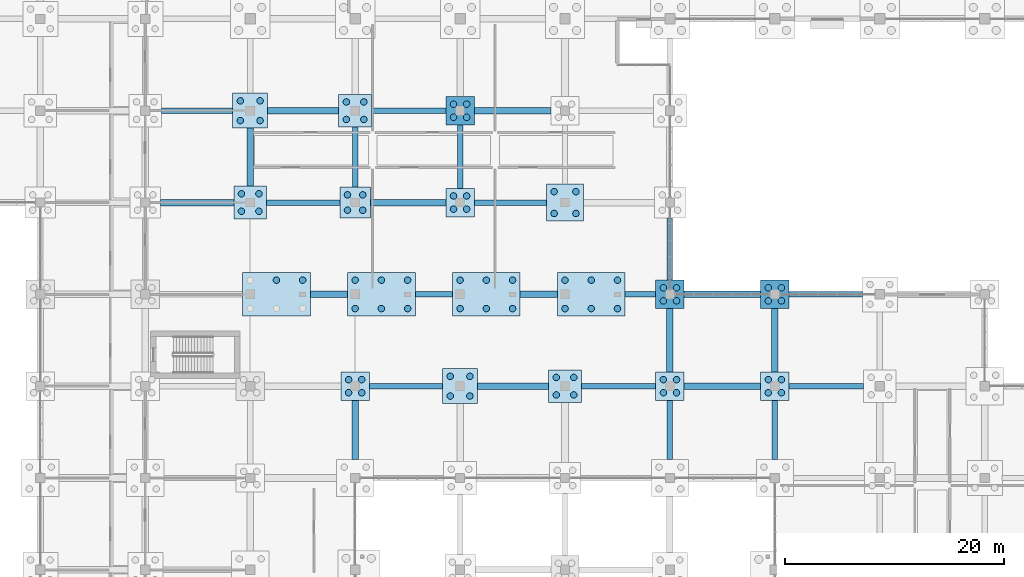
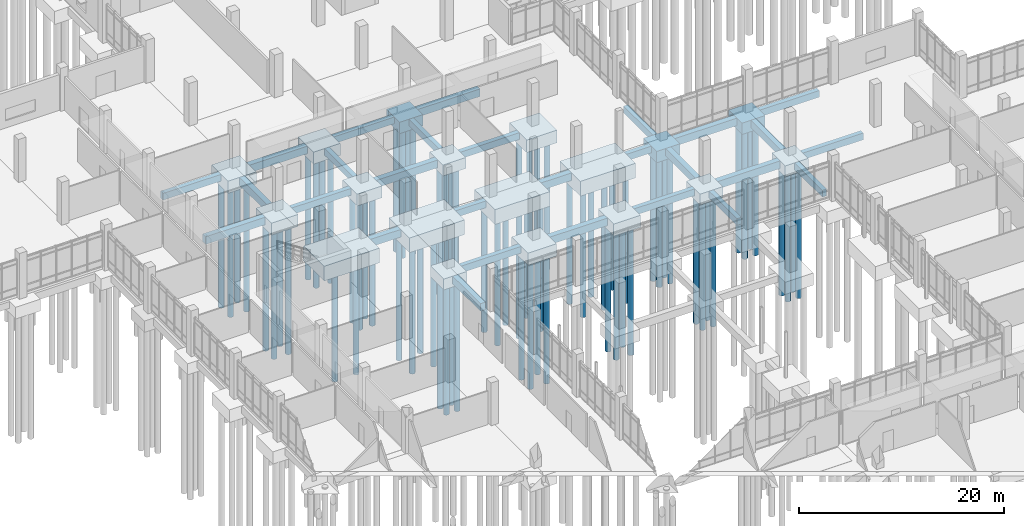
# One storey, part 15 of 136: 76 piles, 46 footings.
"""IFC4 building model written with IfcOpenShell, lengths in metres."""

import ifcopenshell
import ifcopenshell.guid

model = None  # the IFC model being written
_history = None  # IfcOwnerHistory: only IFC2X3 demands one
_inside = {}  # id of a spatial element -> (the spatial element, [elements in it])
_under = {}  # id of a project, library or spatial element -> (it, [spatial elements below it])
_declared = {}  # id of a project -> (the project, [libraries it declares])
_typed = {}  # id of a type object -> (the type object, [elements of that type])
_made_of = {}  # id of a material, layer set ... -> (it, [elements and type objects made of it])


def new_model(schema):
    """Start an empty IFC model of exactly this schema.

    Asked for "IFC4X3", IfcOpenShell would pick the latest addendum, in which some entities
    have other attributes; the version numbers below select the first issue.
    IFC2X3 requires an IfcOwnerHistory on every rooted entity: one is made here for all.
    """
    global model, _history
    if schema == "IFC4X3":
        model = ifcopenshell.file(schema_version=(4, 3, 0, 0))
    else:
        model = ifcopenshell.file(schema=schema)
    _inside.clear()
    _under.clear()
    _declared.clear()
    _typed.clear()
    _made_of.clear()
    _history = None
    if model.schema == "IFC2X3":
        org = make("IfcOrganization", Name="unknown")
        user = make(
            "IfcPersonAndOrganization",
            ThePerson=make("IfcPerson", FamilyName="unknown"),
            TheOrganization=org,
        )
        app = make(
            "IfcApplication",
            ApplicationDeveloper=org,
            Version="unknown",
            ApplicationFullName="unknown",
            ApplicationIdentifier="unknown",
        )
        _history = make(
            "IfcOwnerHistory",
            OwningUser=user,
            OwningApplication=app,
            ChangeAction="ADDED",
            CreationDate=0,
        )
    return model


def make(cls, **values):
    """One entity of the class cls with the attributes given. An attribute that is None is left unset."""
    return model.create_entity(
        cls, **{name: value for name, value in values.items() if value is not None}
    )


def rooted(cls, **values):
    """An entity with a GlobalId (a new one), such as an element, a storey or a relation."""
    return make(cls, GlobalId=ifcopenshell.guid.new(), OwnerHistory=_history, **values)


def si_unit(unit_type, name, prefix=None):
    """IfcSIUnit, for example si_unit("LENGTHUNIT", "METRE", prefix="MILLI")."""
    return make("IfcSIUnit", UnitType=unit_type, Prefix=prefix, Name=name)


def assignment(units):
    """IfcUnitAssignment: the units of a project."""
    return None if units is None else make("IfcUnitAssignment", Units=units)


def point(xyz):
    """IfcCartesianPoint."""
    return None if xyz is None else make("IfcCartesianPoint", Coordinates=xyz)


def direction(xyz):
    """IfcDirection."""
    return None if xyz is None else make("IfcDirection", DirectionRatios=xyz)


def frame(location, z_axis=None, x_axis=None):
    """IfcAxis2Placement3D, a coordinate frame: its origin and axes. An axis left out is left unset."""
    return make(
        "IfcAxis2Placement3D",
        Location=point(location),
        Axis=direction(z_axis),
        RefDirection=direction(x_axis),
    )


def frame_2d(location, x_axis=None):
    """IfcAxis2Placement2D, a coordinate frame in the plane: its origin and x axis."""
    return make(
        "IfcAxis2Placement2D", Location=point(location), RefDirection=direction(x_axis)
    )


def origin():
    """The frame at (0, 0, 0) with its axes left unset."""
    return frame((0.0, 0.0, 0.0))


def origin_2d():
    """The frame at (0, 0) in the plane with its x axis left unset."""
    return frame_2d((0.0, 0.0))


def place(relative_to, where):
    """IfcLocalPlacement: puts the frame where relative to a parent placement (None: the world)."""
    return make(
        "IfcLocalPlacement", PlacementRelTo=relative_to, RelativePlacement=where
    )


def context(
    kind, dimensions, precision=None, world=None, true_north=None, identifier=None
):
    """IfcGeometricRepresentationContext, for example the 3D "Model" context."""
    return make(
        "IfcGeometricRepresentationContext",
        ContextIdentifier=identifier,
        ContextType=kind,
        CoordinateSpaceDimension=dimensions,
        Precision=precision,
        WorldCoordinateSystem=world,
        TrueNorth=true_north,
    )


def subcontext(parent, identifier, kind, view, scale=None):
    """IfcGeometricRepresentationSubContext, for example "Body" below "Model"."""
    return make(
        "IfcGeometricRepresentationSubContext",
        ContextIdentifier=identifier,
        ContextType=kind,
        ParentContext=parent,
        TargetScale=scale,
        TargetView=view,
    )


def project(units=None, contexts=None):
    """IfcProject with its units and contexts."""
    return rooted(
        "IfcProject",
        Name="project",
        RepresentationContexts=contexts,
        UnitsInContext=assignment(units),
    )


def spatial(cls, under=None, at=None, **own):
    """A site, building, storey or space (cls), placed at a placement, below another one or the project."""
    s = rooted(cls, ObjectPlacement=at, **own)
    if under is not None:
        _under.setdefault(under.id(), (under, []))[1].append(s)
    return s


def profile(cls, at=None, kind="AREA", **sizes):
    """A parametric profile (cls). Its sizes go by their IFC names, for example OverallWidth=200.0."""
    return make(cls, ProfileType=kind, Position=at, **sizes)


def rectangle(**sizes):
    """IfcRectangleProfileDef."""
    return profile("IfcRectangleProfileDef", **sizes)


def circle(**sizes):
    """IfcCircleProfileDef."""
    return profile("IfcCircleProfileDef", **sizes)


def extrude(swept, where, along, depth):
    """IfcExtrudedAreaSolid: the profile swept, set in the frame where, extruded along a direction by depth."""
    return make(
        "IfcExtrudedAreaSolid",
        SweptArea=swept,
        Position=where,
        ExtrudedDirection=direction(along),
        Depth=depth,
    )


def shape(context_of_items, identifier, shape_type, items):
    """IfcShapeRepresentation: the items that make up one representation, for example the "Body"."""
    return make(
        "IfcShapeRepresentation",
        ContextOfItems=context_of_items,
        RepresentationIdentifier=identifier,
        RepresentationType=shape_type,
        Items=items,
    )


def material(Name=None, Category=None):
    """IfcMaterial."""
    return make("IfcMaterial", Name=Name, Category=Category)


def material_profile(
    of_material, cross_section, Name=None, Category=None, Priority=None
):
    """IfcMaterialProfile: a cross section and its material."""
    return make(
        "IfcMaterialProfile",
        Name=Name,
        Material=of_material,
        Profile=cross_section,
        Priority=Priority,
        Category=Category,
    )


def profile_set(profiles, Name=None, composite=None):
    """IfcMaterialProfileSet."""
    return make(
        "IfcMaterialProfileSet",
        Name=Name,
        MaterialProfiles=profiles,
        CompositeProfile=composite,
    )


def made_of(thing, what):
    """Note that an element or type object is made of a material, layer set ...; save() writes the relation."""
    if what is not None:
        _made_of.setdefault(what.id(), (what, []))[1].append(thing)
    return thing


def type_object(cls, material=None, **own):
    """A type object (cls), such as IfcWallType, which elements share."""
    return made_of(rooted(cls, **own), material)


def element(
    cls,
    number,
    at=None,
    inside=None,
    cuts=None,
    type_object=None,
    material=None,
    context=None,
    identifier="Body",
    shape_type=None,
    held_by="IfcProductDefinitionShape",
    body=None,
    shapes=None,
    **own,
):
    """One element of the class cls, such as IfcWall. Its Tag is "e" and its number.

    at: its placement. inside: the storey or other place that contains it. cuts: it is an
    opening in that element (IfcRelVoidsElement). A single representation is given by context,
    identifier, shape_type and body (its items); several are given by shapes. held_by: the class
    of the entity that holds the representations. save() writes the other relations.
    """
    e = rooted(cls, Tag="e%d" % number, ObjectPlacement=at, **own)
    if body is not None:
        shapes = [shape(context, identifier, shape_type, body)]
    if shapes is not None:
        e.Representation = make(held_by, Representations=shapes)
    if inside is not None:
        _inside.setdefault(inside.id(), (inside, []))[1].append(e)
    if cuts is not None:
        rooted(
            "IfcRelVoidsElement", RelatingBuildingElement=cuts, RelatedOpeningElement=e
        )
    if type_object is not None:
        _typed.setdefault(type_object.id(), (type_object, []))[1].append(e)
    return made_of(e, material)


def aggregate(whole, parts):
    """IfcRelAggregates: a whole, such as a stair, and the parts it consists of."""
    return rooted("IfcRelAggregates", RelatingObject=whole, RelatedObjects=parts)


def save(model, path):
    """Write the relations noted so far, then the file.

    IfcRelAggregates (storeys below a building ...), IfcRelContainedInSpatialStructure (elements
    in a storey), IfcRelDefinesByType, IfcRelAssociatesMaterial and IfcRelDeclares: one each for
    every whole, place, type object, material and project.
    """
    for whole, parts in _under.values():
        aggregate(whole, parts)
    for where, things in _inside.values():
        rooted(
            "IfcRelContainedInSpatialStructure",
            RelatedElements=things,
            RelatingStructure=where,
        )
    for kind, things in _typed.values():
        rooted("IfcRelDefinesByType", RelatedObjects=things, RelatingType=kind)
    for what, things in _made_of.values():
        rooted("IfcRelAssociatesMaterial", RelatedObjects=things, RelatingMaterial=what)
    for by, libraries in _declared.values():
        rooted("IfcRelDeclares", RelatingContext=by, RelatedDefinitions=libraries)
    model.write(path)


model = new_model("IFC4")

# Units and contexts
model_context = context("Model", 3, precision=1e-05, world=origin(), true_north=direction((0.0, 1.0)))
body_context = subcontext(model_context, "Body", "Model", "MODEL_VIEW")
ifc_project = project(units=[si_unit("LENGTHUNIT", "METRE"), si_unit("AREAUNIT", "SQUARE_METRE"), si_unit("VOLUMEUNIT", "CUBIC_METRE"), si_unit("PLANEANGLEUNIT", "RADIAN"), si_unit("MASSUNIT", "GRAM", prefix="KILO")], contexts=[model_context])

# Site, building, storey
site_placement = place(None, origin())
site = spatial("IfcSite", under=ifc_project, at=site_placement, CompositionType="ELEMENT")
building_placement = place(site_placement, origin())
building = spatial("IfcBuilding", under=site, at=building_placement, Name="Oolite Switchyard Hospital", CompositionType="ELEMENT")
storey_placement = place(building_placement, origin())
storey = spatial("IfcBuildingStorey", under=building, at=storey_placement, Name="L00", CompositionType="ELEMENT", Elevation=0.0)

# Footings
ifc_material = material(Name="Concrete C40/50", Category="concrete")
footing_type_1 = type_object("IfcFootingType", Name="FTG-GB500X800", PredefinedType="FOOTING_BEAM", material=ifc_material)
footing_1_placement = place(storey_placement, frame((148.64990234375, 67.199951171875, -1.14990234375), z_axis=(0.0, 0.0, 1.0), x_axis=(1.0, 0.0, 0.0)))
element("IfcFooting", 1, at=footing_1_placement, inside=storey, type_object=footing_type_1, Name="L00 Grade Beam 120", PredefinedType="FOOTING_BEAM", context=body_context, shape_type="SweptSolid", body=[
    extrude(rectangle(XDim=6.699951171875, YDim=0.5, at=origin_2d()), origin(), (0.0, 0.0, 1.0), 0.800048828125),
])
for number, where, z_axis, x_axis, name in (
    (2, (168.10009765625, 67.199951171875, -1.14990234375), (0.0, 0.0, 1.0), (1.0, 0.0, 0.0), "L00 Grade Beam 122"),
    (3, (187.10009765625, 67.199951171875, -1.14990234375), (0.0, 0.0, 1.0), (1.0, 0.0, 0.0), "L00 Grade Beam 124"),
):
    element("IfcFooting", number, at=place(storey_placement, frame(where, z_axis=z_axis, x_axis=x_axis)), inside=storey, type_object=footing_type_1, Name=name, PredefinedType="FOOTING_BEAM", context=body_context, shape_type="SweptSolid", body=[
        extrude(rectangle(XDim=6.800048828125, YDim=0.5, at=origin_2d()), origin(), (0.0, 0.0, 1.0), 0.800048828125),
    ])
footing_2_placement = place(storey_placement, frame((151.199951171875, 75.60009765625, -1.14990234375), z_axis=(0.0, 0.0, 1.0), x_axis=(1.0, 0.0, 0.0)))
element("IfcFooting", 4, at=footing_2_placement, inside=storey, type_object=footing_type_1, Name="L00 Grade Beam 136", PredefinedType="FOOTING_BEAM", context=body_context, shape_type="SweptSolid", body=[
    extrude(rectangle(XDim=3.39990234375, YDim=0.5, at=origin_2d()), origin(), (0.0, 0.0, 1.0), 0.800048828125),
])
footing_3_placement = place(storey_placement, frame((170.10009765625, 75.60009765625, -1.14990234375), z_axis=(0.0, 0.0, 1.0), x_axis=(1.0, 0.0, 0.0)))
element("IfcFooting", 5, at=footing_3_placement, inside=storey, type_object=footing_type_1, Name="L00 Grade Beam 138", PredefinedType="FOOTING_BEAM", context=body_context, shape_type="SweptSolid", body=[
    extrude(rectangle(XDim=2.800048828125, YDim=0.5, at=origin_2d()), origin(), (0.0, 0.0, 1.0), 0.800048828125),
])
for number, where, z_axis, x_axis, name in (
    (6, (187.050048828125, 75.60009765625, -1.14990234375), (0.0, 0.0, 1.0), (1.0, 0.0, 0.0), "L00 Grade Beam 140"),
    (7, (139.25, 84.0, -1.14990234375), (0.0, 0.0, 1.0), (1.0, 0.0, 0.0), "L00 Grade Beam 156"),
):
    element("IfcFooting", number, at=place(storey_placement, frame(where, z_axis=z_axis, x_axis=x_axis)), inside=storey, type_object=footing_type_1, Name=name, PredefinedType="FOOTING_BEAM", context=body_context, shape_type="SweptSolid", body=[
        extrude(rectangle(XDim=6.699951171875, YDim=0.5, at=origin_2d()), origin(), (0.0, 0.0, 1.0), 0.800048828125),
    ])
footing_4_placement = place(storey_placement, frame((158.199951171875, 84.0, -1.14990234375), z_axis=(0.0, 0.0, 1.0), x_axis=(1.0, 0.0, 0.0)))
element("IfcFooting", 8, at=footing_4_placement, inside=storey, type_object=footing_type_1, Name="L00 Grade Beam 158", PredefinedType="FOOTING_BEAM", context=body_context, shape_type="SweptSolid", body=[
    extrude(rectangle(XDim=6.60009765625, YDim=0.5, at=origin_2d()), origin(), (0.0, 0.0, 1.0), 0.800048828125),
])
footing_5_placement = place(storey_placement, frame((129.550048828125, 92.39990234375, -1.14990234375), z_axis=(0.0, 0.0, 1.0), x_axis=(1.0, 0.0, 0.0)))
element("IfcFooting", 9, at=footing_5_placement, inside=storey, type_object=footing_type_1, Name="L00 Grade Beam 170", PredefinedType="FOOTING_BEAM", context=body_context, shape_type="SweptSolid", body=[
    extrude(rectangle(XDim=6.5, YDim=0.5, at=origin_2d()), origin(), (0.0, 0.0, 1.0), 0.800048828125),
])
footing_6_placement = place(storey_placement, frame((148.89990234375, 92.39990234375, -1.14990234375), z_axis=(0.0, 0.0, 1.0), x_axis=(1.0, 0.0, 0.0)))
element("IfcFooting", 10, at=footing_6_placement, inside=storey, type_object=footing_type_1, Name="L00 Grade Beam 172", PredefinedType="FOOTING_BEAM", context=body_context, shape_type="SweptSolid", body=[
    extrude(rectangle(XDim=6.800048828125, YDim=0.5, at=origin_2d()), origin(), (0.0, 0.0, 1.0), 0.800048828125),
])
footing_7_placement = place(storey_placement, frame((144.0, 88.14990234375, -1.14990234375), z_axis=(0.0, 0.0, 1.0), x_axis=(0.0, 1.0, 0.0)))
element("IfcFooting", 11, at=footing_7_placement, inside=storey, type_object=footing_type_1, Name="L00 Grade Beam 437", PredefinedType="FOOTING_BEAM", context=body_context, shape_type="SweptSolid", body=[
    extrude(rectangle(XDim=5.5, YDim=0.5, at=origin_2d()), origin(), (0.0, 0.0, 1.0), 0.800048828125),
])
footing_8_placement = place(storey_placement, frame((153.60009765625, 88.199951171875, -1.14990234375), z_axis=(0.0, 0.0, 1.0), x_axis=(0.0, 1.0, 0.0)))
element("IfcFooting", 12, at=footing_8_placement, inside=storey, type_object=footing_type_1, Name="L00 Grade Beam 449", PredefinedType="FOOTING_BEAM", context=body_context, shape_type="SweptSolid", body=[
    extrude(rectangle(XDim=5.800048828125, YDim=0.5, at=origin_2d()), origin(), (0.0, 0.0, 1.0), 0.800048828125),
])
footing_9_placement = place(storey_placement, frame((172.800048828125, 63.199951171875, -1.14990234375), z_axis=(0.0, 0.0, 1.0), x_axis=(0.0, 1.0, 0.0)))
element("IfcFooting", 13, at=footing_9_placement, inside=storey, type_object=footing_type_1, Name="L00 Grade Beam 473", PredefinedType="FOOTING_BEAM", context=body_context, shape_type="SweptSolid", body=[
    extrude(rectangle(XDim=5.39990234375, YDim=0.5, at=origin_2d()), origin(), (0.0, 0.0, 1.0), 0.800048828125),
])
footing_10_placement = place(storey_placement, frame((172.800048828125, 79.75, -1.14990234375), z_axis=(0.0, 0.0, 1.0), x_axis=(0.0, 1.0, 0.0)))
element("IfcFooting", 14, at=footing_10_placement, inside=storey, type_object=footing_type_1, Name="L00 Grade Beam 475", PredefinedType="FOOTING_BEAM", context=body_context, shape_type="SweptSolid", body=[
    extrude(rectangle(XDim=5.699951171875, YDim=0.5, at=origin_2d()), origin(), (0.0, 0.0, 1.0), 0.800048828125),
])
footing_11_placement = place(storey_placement, frame((182.39990234375, 63.199951171875, -1.14990234375), z_axis=(0.0, 0.0, 1.0), x_axis=(0.0, 1.0, 0.0)))
element("IfcFooting", 15, at=footing_11_placement, inside=storey, type_object=footing_type_1, Name="L00 Grade Beam 487", PredefinedType="FOOTING_BEAM", context=body_context, shape_type="SweptSolid", body=[
    extrude(rectangle(XDim=5.39990234375, YDim=0.5, at=origin_2d()), origin(), (0.0, 0.0, 1.0), 0.800048828125),
])
footing_type_2 = type_object("IfcFootingType", Name="FTG-GB600X900", PredefinedType="FOOTING_BEAM", material=ifc_material)
footing_12_placement = place(storey_placement, frame((158.449951171875, 67.199951171875, -1.25), z_axis=(0.0, 0.0, 1.0), x_axis=(1.0, 0.0, 0.0)))
element("IfcFooting", 16, at=footing_12_placement, inside=storey, type_object=footing_type_2, Name="L00 Grade Beam 121", PredefinedType="FOOTING_BEAM", context=body_context, shape_type="SweptSolid", body=[
    extrude(rectangle(XDim=6.5, YDim=0.60009765625, at=origin_2d()), origin(), (0.0, 0.0, 1.0), 0.89990234375),
])
footing_13_placement = place(storey_placement, frame((177.60009765625, 67.199951171875, -1.25), z_axis=(0.0, 0.0, 1.0), x_axis=(1.0, 0.0, 0.0)))
element("IfcFooting", 17, at=footing_13_placement, inside=storey, type_object=footing_type_2, Name="L00 Grade Beam 123", PredefinedType="FOOTING_BEAM", context=body_context, shape_type="SweptSolid", body=[
    extrude(rectangle(XDim=7.0, YDim=0.60009765625, at=origin_2d()), origin(), (0.0, 0.0, 1.0), 0.89990234375),
])
for number, where, z_axis, x_axis, name in (
    (18, (141.60009765625, 75.60009765625, -1.25), (0.0, 0.0, 1.0), (1.0, 0.0, 0.0), "L00 Grade Beam 135"),
    (19, (160.800048828125, 75.60009765625, -1.25), (0.0, 0.0, 1.0), (1.0, 0.0, 0.0), "L00 Grade Beam 137"),
):
    element("IfcFooting", number, at=place(storey_placement, frame(where, z_axis=z_axis, x_axis=x_axis)), inside=storey, type_object=footing_type_2, Name=name, PredefinedType="FOOTING_BEAM", context=body_context, shape_type="SweptSolid", body=[
        extrude(rectangle(XDim=3.39990234375, YDim=0.60009765625, at=origin_2d()), origin(), (0.0, 0.0, 1.0), 0.89990234375),
    ])
footing_14_placement = place(storey_placement, frame((177.60009765625, 75.60009765625, -1.25), z_axis=(0.0, 0.0, 1.0), x_axis=(1.0, 0.0, 0.0)))
element("IfcFooting", 20, at=footing_14_placement, inside=storey, type_object=footing_type_2, Name="L00 Grade Beam 139", PredefinedType="FOOTING_BEAM", context=body_context, shape_type="SweptSolid", body=[
    extrude(rectangle(XDim=7.0, YDim=0.60009765625, at=origin_2d()), origin(), (0.0, 0.0, 1.0), 0.89990234375),
])
footing_15_placement = place(storey_placement, frame((129.550048828125, 84.0, -1.25), z_axis=(0.0, 0.0, 1.0), x_axis=(1.0, 0.0, 0.0)))
element("IfcFooting", 21, at=footing_15_placement, inside=storey, type_object=footing_type_2, Name="L00 Grade Beam 155", PredefinedType="FOOTING_BEAM", context=body_context, shape_type="SweptSolid", body=[
    extrude(rectangle(XDim=6.699951171875, YDim=0.60009765625, at=origin_2d()), origin(), (0.0, 0.0, 1.0), 0.89990234375),
])
footing_16_placement = place(storey_placement, frame((148.85009765625, 84.0, -1.25), z_axis=(0.0, 0.0, 1.0), x_axis=(1.0, 0.0, 0.0)))
element("IfcFooting", 22, at=footing_16_placement, inside=storey, type_object=footing_type_2, Name="L00 Grade Beam 157", PredefinedType="FOOTING_BEAM", context=body_context, shape_type="SweptSolid", body=[
    extrude(rectangle(XDim=6.89990234375, YDim=0.60009765625, at=origin_2d()), origin(), (0.0, 0.0, 1.0), 0.89990234375),
])
footing_17_placement = place(storey_placement, frame((139.25, 92.39990234375, -1.25), z_axis=(0.0, 0.0, 1.0), x_axis=(1.0, 0.0, 0.0)))
element("IfcFooting", 23, at=footing_17_placement, inside=storey, type_object=footing_type_2, Name="L00 Grade Beam 171", PredefinedType="FOOTING_BEAM", context=body_context, shape_type="SweptSolid", body=[
    extrude(rectangle(XDim=6.5, YDim=0.60009765625, at=origin_2d()), origin(), (0.0, 0.0, 1.0), 0.89990234375),
])
footing_18_placement = place(storey_placement, frame((158.39990234375, 92.39990234375, -1.25), z_axis=(0.0, 0.0, 1.0), x_axis=(1.0, 0.0, 0.0)))
element("IfcFooting", 24, at=footing_18_placement, inside=storey, type_object=footing_type_2, Name="L00 Grade Beam 173", PredefinedType="FOOTING_BEAM", context=body_context, shape_type="SweptSolid", body=[
    extrude(rectangle(XDim=7.0, YDim=0.60009765625, at=origin_2d()), origin(), (0.0, 0.0, 1.0), 0.89990234375),
])
footing_19_placement = place(storey_placement, frame((134.39990234375, 88.14990234375, -1.25), z_axis=(0.0, 0.0, 1.0), x_axis=(0.0, 1.0, 0.0)))
element("IfcFooting", 25, at=footing_19_placement, inside=storey, type_object=footing_type_2, Name="L00 Grade Beam 428", PredefinedType="FOOTING_BEAM", context=body_context, shape_type="SweptSolid", body=[
    extrude(rectangle(XDim=5.300048828125, YDim=0.60009765625, at=origin_2d()), origin(), (0.0, 0.0, 1.0), 0.89990234375),
])
footing_20_placement = place(storey_placement, frame((144.0, 63.199951171875, -1.25), z_axis=(0.0, 0.0, 1.0), x_axis=(0.0, 1.0, 0.0)))
element("IfcFooting", 26, at=footing_20_placement, inside=storey, type_object=footing_type_2, Name="L00 Grade Beam 436", PredefinedType="FOOTING_BEAM", context=body_context, shape_type="SweptSolid", body=[
    extrude(rectangle(XDim=5.39990234375, YDim=0.60009765625, at=origin_2d()), origin(), (0.0, 0.0, 1.0), 0.89990234375),
])
for number, where, z_axis, x_axis, name in (
    (27, (172.800048828125, 71.39990234375, -1.25), (0.0, 0.0, 1.0), (0.0, 1.0, 0.0), "L00 Grade Beam 474"),
    (28, (182.39990234375, 71.39990234375, -1.25), (0.0, 0.0, 1.0), (0.0, 1.0, 0.0), "L00 Grade Beam 488"),
):
    element("IfcFooting", number, at=place(storey_placement, frame(where, z_axis=z_axis, x_axis=x_axis)), inside=storey, type_object=footing_type_2, Name=name, PredefinedType="FOOTING_BEAM", context=body_context, shape_type="SweptSolid", body=[
        extrude(rectangle(XDim=5.800048828125, YDim=0.60009765625, at=origin_2d()), origin(), (0.0, 0.0, 1.0), 0.89990234375),
    ])
footing_type_3 = type_object("IfcFootingType", Name="FTG-PC24", PredefinedType="PILE_CAP", material=ifc_material)
for number, where, z_axis, x_axis, name in (
    (29, (144.0, 67.199951171875, -1.64990234375), (0.0, 0.0, 1.0), (1.0, 0.0, 0.0), "L00 Multi-Pile Cap 211"),
    (30, (153.60009765625, 84.0, -1.64990234375), (0.0, 0.0, 1.0), (1.0, 0.0, 0.0), "L00 Multi-Pile Cap 228"),
    (31, (172.800048828125, 67.199951171875, -1.64990234375), (0.0, 0.0, 1.0), (1.0, 0.0, 0.0), "L00 Multi-Pile Cap 258"),
    (32, (182.39990234375, 67.199951171875, -1.64990234375), (0.0, 0.0, 1.0), (1.0, 0.0, 0.0), "L00 Multi-Pile Cap 275"),
):
    element("IfcFooting", number, at=place(storey_placement, frame(where, z_axis=z_axis, x_axis=x_axis)), inside=storey, type_object=footing_type_3, Name=name, PredefinedType="PILE_CAP", context=body_context, shape_type="SweptSolid", body=[
        extrude(rectangle(XDim=2.60009765625, YDim=2.60009765625, at=origin_2d()), origin(), (0.0, 0.0, 1.0), 1.300048828125),
    ])
footing_type_4 = type_object("IfcFootingType", Name="FTG-PC26", PredefinedType="PILE_CAP", material=ifc_material)
for number, where, z_axis, x_axis, name in (
    (33, (153.60009765625, 92.39990234375, -1.699951171875), (0.0, 0.0, 1.0), (1.0, 0.0, 0.0), "L00 Multi-Pile Cap 229"),
    (34, (172.800048828125, 75.60009765625, -1.699951171875), (0.0, 0.0, 1.0), (1.0, 0.0, 0.0), "L00 Multi-Pile Cap 259"),
    (35, (182.39990234375, 75.60009765625, -1.699951171875), (0.0, 0.0, 1.0), (1.0, 0.0, 0.0), "L00 Multi-Pile Cap 276"),
):
    element("IfcFooting", number, at=place(storey_placement, frame(where, z_axis=z_axis, x_axis=x_axis)), inside=storey, type_object=footing_type_4, Name=name, PredefinedType="PILE_CAP", context=body_context, shape_type="SweptSolid", body=[
        extrude(rectangle(XDim=2.60009765625, YDim=2.60009765625, at=origin_2d()), origin(), (0.0, 0.0, 1.0), 1.35009765625),
    ])
footing_type_5 = type_object("IfcFootingType", Name="FTG-PC28", PredefinedType="PILE_CAP", material=ifc_material)
footing_21_placement = place(storey_placement, frame((144.0, 84.0, -1.75), z_axis=(0.0, 0.0, 1.0), x_axis=(1.0, 0.0, 0.0)))
element("IfcFooting", 36, at=footing_21_placement, inside=storey, type_object=footing_type_5, Name="L00 Multi-Pile Cap 213", PredefinedType="PILE_CAP", context=body_context, shape_type="SweptSolid", body=[
    extrude(rectangle(XDim=2.800048828125, YDim=2.800048828125, at=origin_2d()), origin(), (0.0, 0.0, 1.0), 1.39990234375),
])
footing_type_6 = type_object("IfcFootingType", Name="FTG-PC30", PredefinedType="PILE_CAP", material=ifc_material)
for number, where, z_axis, x_axis, name in (
    (37, (134.39990234375, 84.0, -1.77001953125), (0.0, 0.0, 1.0), (1.0, 0.0, 0.0), "L00 Multi-Pile Cap 196"),
    (38, (144.0, 92.39990234375, -1.77001953125), (0.0, 0.0, 1.0), (1.0, 0.0, 0.0), "L00 Multi-Pile Cap 214"),
    (39, (163.199951171875, 67.199951171875, -1.77001953125), (0.0, 0.0, 1.0), (1.0, 0.0, 0.0), "L00 Multi-Pile Cap 243"),
):
    element("IfcFooting", number, at=place(storey_placement, frame(where, z_axis=z_axis, x_axis=x_axis)), inside=storey, type_object=footing_type_6, Name=name, PredefinedType="PILE_CAP", context=body_context, shape_type="SweptSolid", body=[
        extrude(rectangle(XDim=3.0, YDim=3.0, at=origin_2d()), origin(), (0.0, 0.0, 1.0), 1.419921875),
    ])
footing_type_7 = type_object("IfcFootingType", Name="FTG-PC32", PredefinedType="PILE_CAP", material=ifc_material)
for number, where, z_axis, x_axis, name in (
    (40, (134.39990234375, 92.39990234375, -1.7998046875), (0.0, 0.0, 1.0), (1.0, 0.0, 0.0), "L00 Multi-Pile Cap 197"),
    (41, (153.60009765625, 67.199951171875, -1.7998046875), (0.0, 0.0, 1.0), (1.0, 0.0, 0.0), "L00 Multi-Pile Cap 226"),
):
    element("IfcFooting", number, at=place(storey_placement, frame(where, z_axis=z_axis, x_axis=x_axis)), inside=storey, type_object=footing_type_7, Name=name, PredefinedType="PILE_CAP", context=body_context, shape_type="SweptSolid", body=[
        extrude(rectangle(XDim=3.199951171875, YDim=3.199951171875, at=origin_2d()), origin(), (0.0, 0.0, 1.0), 1.449951171875),
    ])
footing_type_8 = type_object("IfcFootingType", Name="FTG-PC34", PredefinedType="PILE_CAP", material=ifc_material)
footing_22_placement = place(storey_placement, frame((163.199951171875, 84.0, -1.85009765625), z_axis=(0.0, 0.0, 1.0), x_axis=(1.0, 0.0, 0.0)))
element("IfcFooting", 42, at=footing_22_placement, inside=storey, type_object=footing_type_8, Name="L00 Multi-Pile Cap 245", PredefinedType="PILE_CAP", context=body_context, shape_type="SweptSolid", body=[
    extrude(rectangle(XDim=3.39990234375, YDim=3.39990234375, at=origin_2d()), origin(), (0.0, 0.0, 1.0), 1.5),
])
footing_type_9 = type_object("IfcFootingType", Name="FTG-PC62X40", PredefinedType="PILE_CAP", material=ifc_material)
for number, where, z_axis, x_axis, name in (
    (43, (136.800048828125, 75.60009765625, -2.10009765625), (0.0, 0.0, 1.0), (1.0, 0.0, 0.0), "L00 Multi-Pile Cap 195"),
    (44, (146.39990234375, 75.60009765625, -2.10009765625), (0.0, 0.0, 1.0), (1.0, 0.0, 0.0), "L00 Multi-Pile Cap 212"),
    (45, (156.0, 75.60009765625, -2.10009765625), (0.0, 0.0, 1.0), (1.0, 0.0, 0.0), "L00 Multi-Pile Cap 227"),
    (46, (165.60009765625, 75.60009765625, -2.10009765625), (0.0, 0.0, 1.0), (1.0, 0.0, 0.0), "L00 Multi-Pile Cap 244"),
):
    element("IfcFooting", number, at=place(storey_placement, frame(where, z_axis=z_axis, x_axis=x_axis)), inside=storey, type_object=footing_type_9, Name=name, PredefinedType="PILE_CAP", context=body_context, shape_type="SweptSolid", body=[
        extrude(rectangle(XDim=6.199951171875, YDim=4.0, at=origin_2d()), origin(), (0.0, 0.0, 1.0), 1.75),
    ])

# Piles
ifc_material_profile = material_profile(ifc_material, circle(Radius=0.300048828125, at=origin_2d()), Name="PILE600")
ifc_profile_set = profile_set([ifc_material_profile], Name="Concrete C40/50")
pile_type = type_object("IfcPileType", Name="PILE-ACIP600", PredefinedType="BORED", material=ifc_profile_set)
for number, where, z_axis, x_axis, name in (
    (47, (136.800048828125, 76.89990234375, -1.949951171875), (0.0, 0.0, -1.0), (1.0, 0.0, 0.0), "Augercast Pile 781"),
    (48, (139.199951171875, 76.89990234375, -1.949951171875), (0.0, 0.0, -1.0), (1.0, 0.0, 0.0), "Augercast Pile 782"),
):
    element("IfcPile", number, at=place(storey_placement, frame(where, z_axis=z_axis, x_axis=x_axis)), inside=storey, type_object=pile_type, Name=name, PredefinedType="BORED", context=body_context, shape_type="SweptSolid", body=[
        extrude(circle(Radius=0.300048828125, at=origin_2d()), origin(), (0.0, 0.0, 1.0), 15.050048828125),
    ])
for number, where, z_axis, x_axis, name in (
    (49, (133.60009765625, 83.199951171875, -1.6201171875), (0.0, 0.0, -1.0), (1.0, 0.0, 0.0), "Augercast Pile 783"),
    (50, (135.199951171875, 83.199951171875, -1.6201171875), (0.0, 0.0, -1.0), (1.0, 0.0, 0.0), "Augercast Pile 784"),
    (51, (133.60009765625, 84.800048828125, -1.6201171875), (0.0, 0.0, -1.0), (1.0, 0.0, 0.0), "Augercast Pile 785"),
    (52, (135.199951171875, 84.800048828125, -1.6201171875), (0.0, 0.0, -1.0), (1.0, 0.0, 0.0), "Augercast Pile 786"),
):
    element("IfcPile", number, at=place(storey_placement, frame(where, z_axis=z_axis, x_axis=x_axis)), inside=storey, type_object=pile_type, Name=name, PredefinedType="BORED", context=body_context, shape_type="SweptSolid", body=[
        extrude(circle(Radius=0.300048828125, at=origin_2d()), origin(), (0.0, 0.0, 1.0), 15.3798828125),
    ])
for number, where, z_axis, x_axis, name in (
    (53, (133.5, 91.5, -1.64990234375), (0.0, 0.0, -1.0), (1.0, 0.0, 0.0), "Augercast Pile 787"),
    (54, (135.300048828125, 91.5, -1.64990234375), (0.0, 0.0, -1.0), (1.0, 0.0, 0.0), "Augercast Pile 788"),
    (55, (133.5, 93.300048828125, -1.64990234375), (0.0, 0.0, -1.0), (1.0, 0.0, 0.0), "Augercast Pile 789"),
    (56, (135.300048828125, 93.300048828125, -1.64990234375), (0.0, 0.0, -1.0), (1.0, 0.0, 0.0), "Augercast Pile 790"),
):
    element("IfcPile", number, at=place(storey_placement, frame(where, z_axis=z_axis, x_axis=x_axis)), inside=storey, type_object=pile_type, Name=name, PredefinedType="BORED", context=body_context, shape_type="SweptSolid", body=[
        extrude(circle(Radius=0.300048828125, at=origin_2d()), origin(), (0.0, 0.0, 1.0), 15.35009765625),
    ])
for number, where, z_axis, x_axis, name in (
    (57, (143.39990234375, 66.60009765625, -1.5), (0.0, 0.0, -1.0), (1.0, 0.0, 0.0), "Augercast Pile 845"),
    (58, (144.60009765625, 66.60009765625, -1.5), (0.0, 0.0, -1.0), (1.0, 0.0, 0.0), "Augercast Pile 846"),
    (59, (143.39990234375, 67.800048828125, -1.5), (0.0, 0.0, -1.0), (1.0, 0.0, 0.0), "Augercast Pile 847"),
    (60, (144.60009765625, 67.800048828125, -1.5), (0.0, 0.0, -1.0), (1.0, 0.0, 0.0), "Augercast Pile 848"),
):
    element("IfcPile", number, at=place(storey_placement, frame(where, z_axis=z_axis, x_axis=x_axis)), inside=storey, type_object=pile_type, Name=name, PredefinedType="BORED", context=body_context, shape_type="SweptSolid", body=[
        extrude(circle(Radius=0.300048828125, at=origin_2d()), origin(), (0.0, 0.0, 1.0), 15.5),
    ])
for number, where, z_axis, x_axis, name in (
    (61, (144.0, 74.300048828125, -1.949951171875), (0.0, 0.0, -1.0), (1.0, 0.0, 0.0), "Augercast Pile 849"),
    (62, (146.39990234375, 74.300048828125, -1.949951171875), (0.0, 0.0, -1.0), (1.0, 0.0, 0.0), "Augercast Pile 850"),
    (63, (148.800048828125, 74.300048828125, -1.949951171875), (0.0, 0.0, -1.0), (1.0, 0.0, 0.0), "Augercast Pile 851"),
    (64, (144.0, 76.89990234375, -1.949951171875), (0.0, 0.0, -1.0), (1.0, 0.0, 0.0), "Augercast Pile 852"),
    (65, (146.39990234375, 76.89990234375, -1.949951171875), (0.0, 0.0, -1.0), (1.0, 0.0, 0.0), "Augercast Pile 853"),
    (66, (148.800048828125, 76.89990234375, -1.949951171875), (0.0, 0.0, -1.0), (1.0, 0.0, 0.0), "Augercast Pile 854"),
):
    element("IfcPile", number, at=place(storey_placement, frame(where, z_axis=z_axis, x_axis=x_axis)), inside=storey, type_object=pile_type, Name=name, PredefinedType="BORED", context=body_context, shape_type="SweptSolid", body=[
        extrude(circle(Radius=0.300048828125, at=origin_2d()), origin(), (0.0, 0.0, 1.0), 15.050048828125),
    ])
for number, where, z_axis, x_axis, name in (
    (67, (143.300048828125, 83.300048828125, -1.60009765625), (0.0, 0.0, -1.0), (1.0, 0.0, 0.0), "Augercast Pile 855"),
    (68, (144.699951171875, 83.300048828125, -1.60009765625), (0.0, 0.0, -1.0), (1.0, 0.0, 0.0), "Augercast Pile 856"),
    (69, (143.300048828125, 84.699951171875, -1.60009765625), (0.0, 0.0, -1.0), (1.0, 0.0, 0.0), "Augercast Pile 857"),
    (70, (144.699951171875, 84.699951171875, -1.60009765625), (0.0, 0.0, -1.0), (1.0, 0.0, 0.0), "Augercast Pile 858"),
):
    element("IfcPile", number, at=place(storey_placement, frame(where, z_axis=z_axis, x_axis=x_axis)), inside=storey, type_object=pile_type, Name=name, PredefinedType="BORED", context=body_context, shape_type="SweptSolid", body=[
        extrude(circle(Radius=0.300048828125, at=origin_2d()), origin(), (0.0, 0.0, 1.0), 15.39990234375),
    ])
for number, where, z_axis, x_axis, name in (
    (71, (143.199951171875, 91.60009765625, -1.6201171875), (0.0, 0.0, -1.0), (1.0, 0.0, 0.0), "Augercast Pile 859"),
    (72, (144.800048828125, 91.60009765625, -1.6201171875), (0.0, 0.0, -1.0), (1.0, 0.0, 0.0), "Augercast Pile 860"),
    (73, (143.199951171875, 93.199951171875, -1.6201171875), (0.0, 0.0, -1.0), (1.0, 0.0, 0.0), "Augercast Pile 861"),
    (74, (144.800048828125, 93.199951171875, -1.6201171875), (0.0, 0.0, -1.0), (1.0, 0.0, 0.0), "Augercast Pile 862"),
):
    element("IfcPile", number, at=place(storey_placement, frame(where, z_axis=z_axis, x_axis=x_axis)), inside=storey, type_object=pile_type, Name=name, PredefinedType="BORED", context=body_context, shape_type="SweptSolid", body=[
        extrude(circle(Radius=0.300048828125, at=origin_2d()), origin(), (0.0, 0.0, 1.0), 15.3798828125),
    ])
for number, where, z_axis, x_axis, name in (
    (75, (152.699951171875, 66.300048828125, -1.64990234375), (0.0, 0.0, -1.0), (1.0, 0.0, 0.0), "Augercast Pile 907"),
    (76, (154.5, 66.300048828125, -1.64990234375), (0.0, 0.0, -1.0), (1.0, 0.0, 0.0), "Augercast Pile 908"),
    (77, (152.699951171875, 68.10009765625, -1.64990234375), (0.0, 0.0, -1.0), (1.0, 0.0, 0.0), "Augercast Pile 909"),
    (78, (154.5, 68.10009765625, -1.64990234375), (0.0, 0.0, -1.0), (1.0, 0.0, 0.0), "Augercast Pile 910"),
):
    element("IfcPile", number, at=place(storey_placement, frame(where, z_axis=z_axis, x_axis=x_axis)), inside=storey, type_object=pile_type, Name=name, PredefinedType="BORED", context=body_context, shape_type="SweptSolid", body=[
        extrude(circle(Radius=0.300048828125, at=origin_2d()), origin(), (0.0, 0.0, 1.0), 15.35009765625),
    ])
for number, where, z_axis, x_axis, name in (
    (79, (153.60009765625, 74.300048828125, -1.949951171875), (0.0, 0.0, -1.0), (1.0, 0.0, 0.0), "Augercast Pile 911"),
    (80, (156.0, 74.300048828125, -1.949951171875), (0.0, 0.0, -1.0), (1.0, 0.0, 0.0), "Augercast Pile 912"),
    (81, (158.39990234375, 74.300048828125, -1.949951171875), (0.0, 0.0, -1.0), (1.0, 0.0, 0.0), "Augercast Pile 913"),
    (82, (153.60009765625, 76.89990234375, -1.949951171875), (0.0, 0.0, -1.0), (1.0, 0.0, 0.0), "Augercast Pile 914"),
    (83, (156.0, 76.89990234375, -1.949951171875), (0.0, 0.0, -1.0), (1.0, 0.0, 0.0), "Augercast Pile 915"),
    (84, (158.39990234375, 76.89990234375, -1.949951171875), (0.0, 0.0, -1.0), (1.0, 0.0, 0.0), "Augercast Pile 916"),
):
    element("IfcPile", number, at=place(storey_placement, frame(where, z_axis=z_axis, x_axis=x_axis)), inside=storey, type_object=pile_type, Name=name, PredefinedType="BORED", context=body_context, shape_type="SweptSolid", body=[
        extrude(circle(Radius=0.300048828125, at=origin_2d()), origin(), (0.0, 0.0, 1.0), 15.050048828125),
    ])
for number, where, z_axis, x_axis, name in (
    (85, (153.0, 83.39990234375, -1.5), (0.0, 0.0, -1.0), (1.0, 0.0, 0.0), "Augercast Pile 917"),
    (86, (154.199951171875, 83.39990234375, -1.5), (0.0, 0.0, -1.0), (1.0, 0.0, 0.0), "Augercast Pile 918"),
    (87, (153.0, 84.60009765625, -1.5), (0.0, 0.0, -1.0), (1.0, 0.0, 0.0), "Augercast Pile 919"),
    (88, (154.199951171875, 84.60009765625, -1.5), (0.0, 0.0, -1.0), (1.0, 0.0, 0.0), "Augercast Pile 920"),
):
    element("IfcPile", number, at=place(storey_placement, frame(where, z_axis=z_axis, x_axis=x_axis)), inside=storey, type_object=pile_type, Name=name, PredefinedType="BORED", context=body_context, shape_type="SweptSolid", body=[
        extrude(circle(Radius=0.300048828125, at=origin_2d()), origin(), (0.0, 0.0, 1.0), 15.5),
    ])
for number, where, z_axis, x_axis, name in (
    (89, (153.0, 91.800048828125, -1.550048828125), (0.0, 0.0, -1.0), (1.0, 0.0, 0.0), "Augercast Pile 921"),
    (90, (154.199951171875, 91.800048828125, -1.550048828125), (0.0, 0.0, -1.0), (1.0, 0.0, 0.0), "Augercast Pile 922"),
    (91, (153.0, 93.0, -1.550048828125), (0.0, 0.0, -1.0), (1.0, 0.0, 0.0), "Augercast Pile 923"),
    (92, (154.199951171875, 93.0, -1.550048828125), (0.0, 0.0, -1.0), (1.0, 0.0, 0.0), "Augercast Pile 924"),
):
    element("IfcPile", number, at=place(storey_placement, frame(where, z_axis=z_axis, x_axis=x_axis)), inside=storey, type_object=pile_type, Name=name, PredefinedType="BORED", context=body_context, shape_type="SweptSolid", body=[
        extrude(circle(Radius=0.300048828125, at=origin_2d()), origin(), (0.0, 0.0, 1.0), 15.449951171875),
    ])
for number, where, z_axis, x_axis, name in (
    (93, (162.39990234375, 66.39990234375, -1.6201171875), (0.0, 0.0, -1.0), (1.0, 0.0, 0.0), "Augercast Pile 979"),
    (94, (164.0, 66.39990234375, -1.6201171875), (0.0, 0.0, -1.0), (1.0, 0.0, 0.0), "Augercast Pile 980"),
    (95, (162.39990234375, 68.0, -1.6201171875), (0.0, 0.0, -1.0), (1.0, 0.0, 0.0), "Augercast Pile 981"),
    (96, (164.0, 68.0, -1.6201171875), (0.0, 0.0, -1.0), (1.0, 0.0, 0.0), "Augercast Pile 982"),
):
    element("IfcPile", number, at=place(storey_placement, frame(where, z_axis=z_axis, x_axis=x_axis)), inside=storey, type_object=pile_type, Name=name, PredefinedType="BORED", context=body_context, shape_type="SweptSolid", body=[
        extrude(circle(Radius=0.300048828125, at=origin_2d()), origin(), (0.0, 0.0, 1.0), 15.3798828125),
    ])
for number, where, z_axis, x_axis, name in (
    (97, (163.199951171875, 74.300048828125, -1.949951171875), (0.0, 0.0, -1.0), (1.0, 0.0, 0.0), "Augercast Pile 983"),
    (98, (165.60009765625, 74.300048828125, -1.949951171875), (0.0, 0.0, -1.0), (1.0, 0.0, 0.0), "Augercast Pile 984"),
    (99, (168.0, 74.300048828125, -1.949951171875), (0.0, 0.0, -1.0), (1.0, 0.0, 0.0), "Augercast Pile 985"),
    (100, (163.199951171875, 76.89990234375, -1.949951171875), (0.0, 0.0, -1.0), (1.0, 0.0, 0.0), "Augercast Pile 986"),
    (101, (165.60009765625, 76.89990234375, -1.949951171875), (0.0, 0.0, -1.0), (1.0, 0.0, 0.0), "Augercast Pile 987"),
    (102, (168.0, 76.89990234375, -1.949951171875), (0.0, 0.0, -1.0), (1.0, 0.0, 0.0), "Augercast Pile 988"),
):
    element("IfcPile", number, at=place(storey_placement, frame(where, z_axis=z_axis, x_axis=x_axis)), inside=storey, type_object=pile_type, Name=name, PredefinedType="BORED", context=body_context, shape_type="SweptSolid", body=[
        extrude(circle(Radius=0.300048828125, at=origin_2d()), origin(), (0.0, 0.0, 1.0), 15.050048828125),
    ])
for number, where, z_axis, x_axis, name in (
    (103, (162.199951171875, 83.0, -1.699951171875), (0.0, 0.0, -1.0), (1.0, 0.0, 0.0), "Augercast Pile 989"),
    (104, (164.199951171875, 83.0, -1.699951171875), (0.0, 0.0, -1.0), (1.0, 0.0, 0.0), "Augercast Pile 990"),
    (105, (162.199951171875, 85.0, -1.699951171875), (0.0, 0.0, -1.0), (1.0, 0.0, 0.0), "Augercast Pile 991"),
    (106, (164.199951171875, 85.0, -1.699951171875), (0.0, 0.0, -1.0), (1.0, 0.0, 0.0), "Augercast Pile 992"),
):
    element("IfcPile", number, at=place(storey_placement, frame(where, z_axis=z_axis, x_axis=x_axis)), inside=storey, type_object=pile_type, Name=name, PredefinedType="BORED", context=body_context, shape_type="SweptSolid", body=[
        extrude(circle(Radius=0.300048828125, at=origin_2d()), origin(), (0.0, 0.0, 1.0), 15.300048828125),
    ])
for number, where, z_axis, x_axis, name in (
    (107, (172.199951171875, 66.60009765625, -1.5), (0.0, 0.0, -1.0), (1.0, 0.0, 0.0), "Augercast Pile 1043"),
    (108, (173.39990234375, 66.60009765625, -1.5), (0.0, 0.0, -1.0), (1.0, 0.0, 0.0), "Augercast Pile 1044"),
    (109, (172.199951171875, 67.800048828125, -1.5), (0.0, 0.0, -1.0), (1.0, 0.0, 0.0), "Augercast Pile 1045"),
    (110, (173.39990234375, 67.800048828125, -1.5), (0.0, 0.0, -1.0), (1.0, 0.0, 0.0), "Augercast Pile 1046"),
):
    element("IfcPile", number, at=place(storey_placement, frame(where, z_axis=z_axis, x_axis=x_axis)), inside=storey, type_object=pile_type, Name=name, PredefinedType="BORED", context=body_context, shape_type="SweptSolid", body=[
        extrude(circle(Radius=0.300048828125, at=origin_2d()), origin(), (0.0, 0.0, 1.0), 15.5),
    ])
for number, where, z_axis, x_axis, name in (
    (111, (172.199951171875, 75.0, -1.550048828125), (0.0, 0.0, -1.0), (1.0, 0.0, 0.0), "Augercast Pile 1047"),
    (112, (173.39990234375, 75.0, -1.550048828125), (0.0, 0.0, -1.0), (1.0, 0.0, 0.0), "Augercast Pile 1048"),
    (113, (172.199951171875, 76.199951171875, -1.550048828125), (0.0, 0.0, -1.0), (1.0, 0.0, 0.0), "Augercast Pile 1049"),
    (114, (173.39990234375, 76.199951171875, -1.550048828125), (0.0, 0.0, -1.0), (1.0, 0.0, 0.0), "Augercast Pile 1050"),
):
    element("IfcPile", number, at=place(storey_placement, frame(where, z_axis=z_axis, x_axis=x_axis)), inside=storey, type_object=pile_type, Name=name, PredefinedType="BORED", context=body_context, shape_type="SweptSolid", body=[
        extrude(circle(Radius=0.300048828125, at=origin_2d()), origin(), (0.0, 0.0, 1.0), 15.449951171875),
    ])
for number, where, z_axis, x_axis, name in (
    (115, (181.800048828125, 66.60009765625, -1.5), (0.0, 0.0, -1.0), (1.0, 0.0, 0.0), "Augercast Pile 1111"),
    (116, (183.0, 66.60009765625, -1.5), (0.0, 0.0, -1.0), (1.0, 0.0, 0.0), "Augercast Pile 1112"),
    (117, (181.800048828125, 67.800048828125, -1.5), (0.0, 0.0, -1.0), (1.0, 0.0, 0.0), "Augercast Pile 1113"),
    (118, (183.0, 67.800048828125, -1.5), (0.0, 0.0, -1.0), (1.0, 0.0, 0.0), "Augercast Pile 1114"),
):
    element("IfcPile", number, at=place(storey_placement, frame(where, z_axis=z_axis, x_axis=x_axis)), inside=storey, type_object=pile_type, Name=name, PredefinedType="BORED", context=body_context, shape_type="SweptSolid", body=[
        extrude(circle(Radius=0.300048828125, at=origin_2d()), origin(), (0.0, 0.0, 1.0), 15.5),
    ])
for number, where, z_axis, x_axis, name in (
    (119, (181.800048828125, 75.0, -1.550048828125), (0.0, 0.0, -1.0), (1.0, 0.0, 0.0), "Augercast Pile 1115"),
    (120, (183.0, 75.0, -1.550048828125), (0.0, 0.0, -1.0), (1.0, 0.0, 0.0), "Augercast Pile 1116"),
    (121, (181.800048828125, 76.199951171875, -1.550048828125), (0.0, 0.0, -1.0), (1.0, 0.0, 0.0), "Augercast Pile 1117"),
    (122, (183.0, 76.199951171875, -1.550048828125), (0.0, 0.0, -1.0), (1.0, 0.0, 0.0), "Augercast Pile 1118"),
):
    element("IfcPile", number, at=place(storey_placement, frame(where, z_axis=z_axis, x_axis=x_axis)), inside=storey, type_object=pile_type, Name=name, PredefinedType="BORED", context=body_context, shape_type="SweptSolid", body=[
        extrude(circle(Radius=0.300048828125, at=origin_2d()), origin(), (0.0, 0.0, 1.0), 15.449951171875),
    ])

save(model, "model.ifc")
